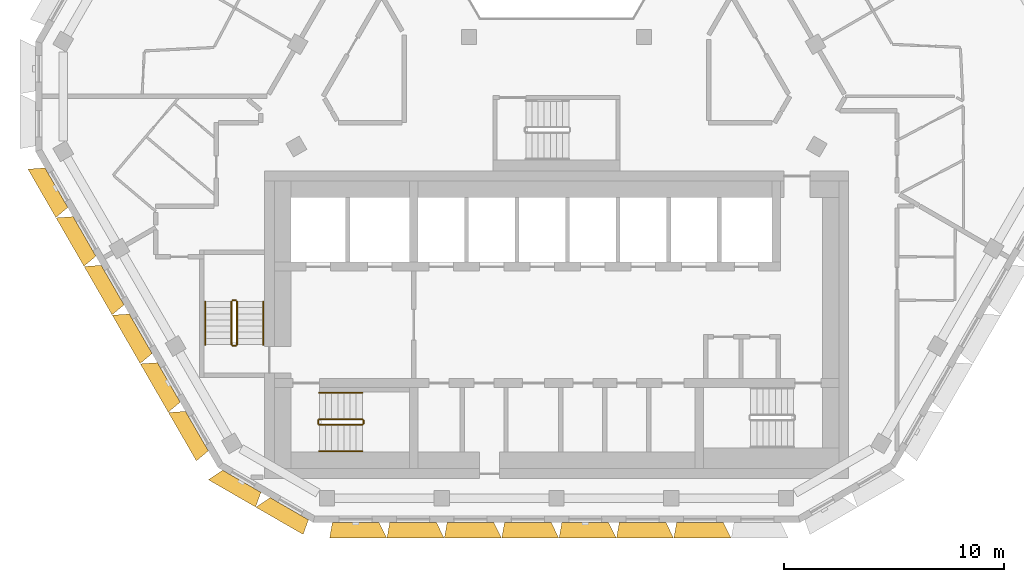
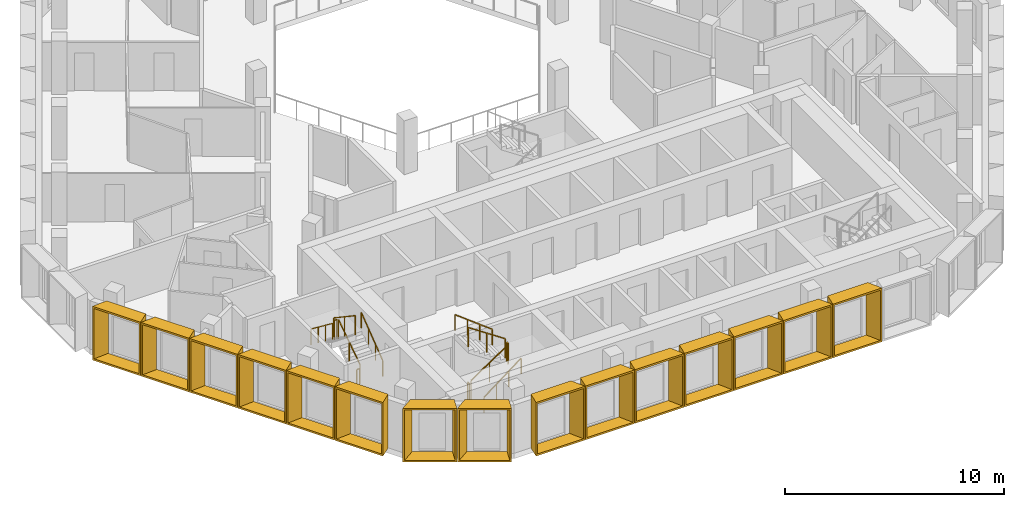
# One storey, part 12 of 16: 15 shading devices, 12 railings.
"""IFC4 building model written with IfcOpenShell, lengths in metres."""

import ifcopenshell
import ifcopenshell.guid

model = None  # the IFC model being written
_history = None  # IfcOwnerHistory: only IFC2X3 demands one
_inside = {}  # id of a spatial element -> (the spatial element, [elements in it])
_under = {}  # id of a project, library or spatial element -> (it, [spatial elements below it])
_declared = {}  # id of a project -> (the project, [libraries it declares])
_typed = {}  # id of a type object -> (the type object, [elements of that type])
_made_of = {}  # id of a material, layer set ... -> (it, [elements and type objects made of it])


def new_model(schema):
    """Start an empty IFC model of exactly this schema.

    Asked for "IFC4X3", IfcOpenShell would pick the latest addendum, in which some entities
    have other attributes; the version numbers below select the first issue.
    IFC2X3 requires an IfcOwnerHistory on every rooted entity: one is made here for all.
    """
    global model, _history
    if schema == "IFC4X3":
        model = ifcopenshell.file(schema_version=(4, 3, 0, 0))
    else:
        model = ifcopenshell.file(schema=schema)
    _inside.clear()
    _under.clear()
    _declared.clear()
    _typed.clear()
    _made_of.clear()
    _history = None
    if model.schema == "IFC2X3":
        org = make("IfcOrganization", Name="unknown")
        user = make(
            "IfcPersonAndOrganization",
            ThePerson=make("IfcPerson", FamilyName="unknown"),
            TheOrganization=org,
        )
        app = make(
            "IfcApplication",
            ApplicationDeveloper=org,
            Version="unknown",
            ApplicationFullName="unknown",
            ApplicationIdentifier="unknown",
        )
        _history = make(
            "IfcOwnerHistory",
            OwningUser=user,
            OwningApplication=app,
            ChangeAction="ADDED",
            CreationDate=0,
        )
    return model


def make(cls, **values):
    """One entity of the class cls with the attributes given. An attribute that is None is left unset."""
    return model.create_entity(
        cls, **{name: value for name, value in values.items() if value is not None}
    )


def entity(cls, *values):
    """Any entity or typed value of the class cls, its attributes in the order of the schema. None: left unset."""
    e = model.create_entity(cls)
    for i, value in enumerate(values):
        if value is not None:
            e[i] = value
    return e


def rooted(cls, **values):
    """An entity with a GlobalId (a new one), such as an element, a storey or a relation."""
    return make(cls, GlobalId=ifcopenshell.guid.new(), OwnerHistory=_history, **values)


def si_unit(unit_type, name, prefix=None):
    """IfcSIUnit, for example si_unit("LENGTHUNIT", "METRE", prefix="MILLI")."""
    return make("IfcSIUnit", UnitType=unit_type, Prefix=prefix, Name=name)


def assignment(units):
    """IfcUnitAssignment: the units of a project."""
    return None if units is None else make("IfcUnitAssignment", Units=units)


def point(xyz):
    """IfcCartesianPoint."""
    return None if xyz is None else make("IfcCartesianPoint", Coordinates=xyz)


def direction(xyz):
    """IfcDirection."""
    return None if xyz is None else make("IfcDirection", DirectionRatios=xyz)


def frame(location, z_axis=None, x_axis=None):
    """IfcAxis2Placement3D, a coordinate frame: its origin and axes. An axis left out is left unset."""
    return make(
        "IfcAxis2Placement3D",
        Location=point(location),
        Axis=direction(z_axis),
        RefDirection=direction(x_axis),
    )


def frame_2d(location, x_axis=None):
    """IfcAxis2Placement2D, a coordinate frame in the plane: its origin and x axis."""
    return make(
        "IfcAxis2Placement2D", Location=point(location), RefDirection=direction(x_axis)
    )


def origin():
    """The frame at (0, 0, 0) with its axes left unset."""
    return frame((0.0, 0.0, 0.0))


def origin_2d():
    """The frame at (0, 0) in the plane with its x axis left unset."""
    return frame_2d((0.0, 0.0))


def place(relative_to, where):
    """IfcLocalPlacement: puts the frame where relative to a parent placement (None: the world)."""
    return make(
        "IfcLocalPlacement", PlacementRelTo=relative_to, RelativePlacement=where
    )


def context(
    kind, dimensions, precision=None, world=None, true_north=None, identifier=None
):
    """IfcGeometricRepresentationContext, for example the 3D "Model" context."""
    return make(
        "IfcGeometricRepresentationContext",
        ContextIdentifier=identifier,
        ContextType=kind,
        CoordinateSpaceDimension=dimensions,
        Precision=precision,
        WorldCoordinateSystem=world,
        TrueNorth=true_north,
    )


def subcontext(parent, identifier, kind, view, scale=None):
    """IfcGeometricRepresentationSubContext, for example "Body" below "Model"."""
    return make(
        "IfcGeometricRepresentationSubContext",
        ContextIdentifier=identifier,
        ContextType=kind,
        ParentContext=parent,
        TargetScale=scale,
        TargetView=view,
    )


def project(units=None, contexts=None):
    """IfcProject with its units and contexts."""
    return rooted(
        "IfcProject",
        Name="project",
        RepresentationContexts=contexts,
        UnitsInContext=assignment(units),
    )


def spatial(cls, under=None, at=None, **own):
    """A site, building, storey or space (cls), placed at a placement, below another one or the project."""
    s = rooted(cls, ObjectPlacement=at, **own)
    if under is not None:
        _under.setdefault(under.id(), (under, []))[1].append(s)
    return s


def profile(cls, at=None, kind="AREA", **sizes):
    """A parametric profile (cls). Its sizes go by their IFC names, for example OverallWidth=200.0."""
    return make(cls, ProfileType=kind, Position=at, **sizes)


def rectangle(**sizes):
    """IfcRectangleProfileDef."""
    return profile("IfcRectangleProfileDef", **sizes)


def extrude(swept, where, along, depth):
    """IfcExtrudedAreaSolid: the profile swept, set in the frame where, extruded along a direction by depth."""
    return make(
        "IfcExtrudedAreaSolid",
        SweptArea=swept,
        Position=where,
        ExtrudedDirection=direction(along),
        Depth=depth,
    )


def shape(context_of_items, identifier, shape_type, items):
    """IfcShapeRepresentation: the items that make up one representation, for example the "Body"."""
    return make(
        "IfcShapeRepresentation",
        ContextOfItems=context_of_items,
        RepresentationIdentifier=identifier,
        RepresentationType=shape_type,
        Items=items,
    )


def source(mapping_origin, context_of_items, identifier, shape_type, items):
    """IfcRepresentationMap: a shape defined once, which mapped items show again and again."""
    return make(
        "IfcRepresentationMap",
        MappingOrigin=mapping_origin,
        MappedRepresentation=shape(context_of_items, identifier, shape_type, items),
    )


def transform(
    local_origin,
    x_axis=None,
    y_axis=None,
    z_axis=None,
    scale=None,
    scale2=None,
    scale3=None,
    uniform=True,
):
    """IfcCartesianTransformationOperator3D, or its non-uniform kind. x_axis, y_axis, z_axis: its Axis1, 2, 3."""
    if uniform:
        return make(
            "IfcCartesianTransformationOperator3D",
            Axis1=direction(x_axis),
            Axis2=direction(y_axis),
            LocalOrigin=point(local_origin),
            Scale=scale,
            Axis3=direction(z_axis),
        )
    return make(
        "IfcCartesianTransformationOperator3DnonUniform",
        Axis1=direction(x_axis),
        Axis2=direction(y_axis),
        LocalOrigin=point(local_origin),
        Scale=scale,
        Axis3=direction(z_axis),
        Scale2=scale2,
        Scale3=scale3,
    )


def mapped(mapping_source, mapping_target):
    """IfcMappedItem: shows the shape of a source again, moved by a transform."""
    return make(
        "IfcMappedItem", MappingSource=mapping_source, MappingTarget=mapping_target
    )


def material(Name=None, Category=None):
    """IfcMaterial."""
    return make("IfcMaterial", Name=Name, Category=Category)


def made_of(thing, what):
    """Note that an element or type object is made of a material, layer set ...; save() writes the relation."""
    if what is not None:
        _made_of.setdefault(what.id(), (what, []))[1].append(thing)
    return thing


def type_object(cls, material=None, **own):
    """A type object (cls), such as IfcWallType, which elements share."""
    return made_of(rooted(cls, **own), material)


def type_shapes(of_type, sources):
    """Give a type object the sources (RepresentationMaps) that its elements show as mapped items."""
    of_type.RepresentationMaps = sources


def element(
    cls,
    number,
    at=None,
    inside=None,
    cuts=None,
    type_object=None,
    material=None,
    context=None,
    identifier="Body",
    shape_type=None,
    held_by="IfcProductDefinitionShape",
    body=None,
    shapes=None,
    **own,
):
    """One element of the class cls, such as IfcWall. Its Tag is "e" and its number.

    at: its placement. inside: the storey or other place that contains it. cuts: it is an
    opening in that element (IfcRelVoidsElement). A single representation is given by context,
    identifier, shape_type and body (its items); several are given by shapes. held_by: the class
    of the entity that holds the representations. save() writes the other relations.
    """
    e = rooted(cls, Tag="e%d" % number, ObjectPlacement=at, **own)
    if body is not None:
        shapes = [shape(context, identifier, shape_type, body)]
    if shapes is not None:
        e.Representation = make(held_by, Representations=shapes)
    if inside is not None:
        _inside.setdefault(inside.id(), (inside, []))[1].append(e)
    if cuts is not None:
        rooted(
            "IfcRelVoidsElement", RelatingBuildingElement=cuts, RelatedOpeningElement=e
        )
    if type_object is not None:
        _typed.setdefault(type_object.id(), (type_object, []))[1].append(e)
    return made_of(e, material)


def aggregate(whole, parts):
    """IfcRelAggregates: a whole, such as a stair, and the parts it consists of."""
    return rooted("IfcRelAggregates", RelatingObject=whole, RelatedObjects=parts)


def save(model, path):
    """Write the relations noted so far, then the file.

    IfcRelAggregates (storeys below a building ...), IfcRelContainedInSpatialStructure (elements
    in a storey), IfcRelDefinesByType, IfcRelAssociatesMaterial and IfcRelDeclares: one each for
    every whole, place, type object, material and project.
    """
    for whole, parts in _under.values():
        aggregate(whole, parts)
    for where, things in _inside.values():
        rooted(
            "IfcRelContainedInSpatialStructure",
            RelatedElements=things,
            RelatingStructure=where,
        )
    for kind, things in _typed.values():
        rooted("IfcRelDefinesByType", RelatedObjects=things, RelatingType=kind)
    for what, things in _made_of.values():
        rooted("IfcRelAssociatesMaterial", RelatedObjects=things, RelatingMaterial=what)
    for by, libraries in _declared.values():
        rooted("IfcRelDeclares", RelatingContext=by, RelatedDefinitions=libraries)
    model.write(path)


model = new_model("IFC4")

# Units and contexts
model_context = context("Model", 3, precision=1e-05, world=origin(), true_north=direction((0.0, 1.0)))
body_context = subcontext(model_context, "Body", "Model", "MODEL_VIEW")
ifc_project = project(units=[si_unit("LENGTHUNIT", "METRE"), si_unit("AREAUNIT", "SQUARE_METRE"), si_unit("VOLUMEUNIT", "CUBIC_METRE"), si_unit("PLANEANGLEUNIT", "RADIAN"), si_unit("MASSUNIT", "GRAM", prefix="KILO")], contexts=[model_context])

# Site, building, storey
site_placement = place(None, origin())
site = spatial("IfcSite", under=ifc_project, at=site_placement, CompositionType="ELEMENT")
building_placement = place(site_placement, origin())
building = spatial("IfcBuilding", under=site, at=building_placement, Name="Beryl Residences", CompositionType="ELEMENT")
storey_placement = place(building_placement, frame((0.0, 0.0, 226.800048828125)))
storey = spatial("IfcBuildingStorey", under=building, at=storey_placement, Name="L70", CompositionType="ELEMENT", Elevation=226.800048828125)

# Shading devices
ifc_material_1 = material(Name="Aluminium pale anodised", Category="aluminium")
shading_device_type_1 = type_object("IfcShadingDeviceType", Name="FR250-70B OUTER SKIN frame 700 mm deep, splay 26/10 deg, 2500 x 3000 mm cell", PredefinedType="USERDEFINED", material=ifc_material_1)
cartesian_point_1 = entity("IfcCartesianPoint", [-1.007568359375, 0.0])
cartesian_point_2 = entity("IfcCartesianPoint", [-0.91845703125, 0.10009765625])
cartesian_point_3 = entity("IfcCartesianPoint", [-1.348876953125, 0.0])
cartesian_point_4 = entity("IfcCartesianPoint", [-1.260009765625, 0.10009765625])
shared_shape_1 = source(origin(), body_context, "Body", "SweptSolid", [
    entity("IfcExtrudedAreaSolidTapered", entity("IfcArbitraryProfileDefWithVoids", "AREA", None, entity("IfcPolyline", [cartesian_point_1, entity("IfcCartesianPoint", [1.007568359375, 0.0]), entity("IfcCartesianPoint", [1.007568359375, 3.0]), entity("IfcCartesianPoint", [-1.007568359375, 3.0]), cartesian_point_1]), [entity("IfcPolyline", [cartesian_point_2, entity("IfcCartesianPoint", [0.92626953125, 0.10009765625]), entity("IfcCartesianPoint", [0.92626953125, 2.89990234375]), entity("IfcCartesianPoint", [-0.91845703125, 2.89990234375]), cartesian_point_2])]), entity("IfcAxis2Placement3D", entity("IfcCartesianPoint", [0.0, 0.0, 0.0]), entity("IfcDirection", [0.0, 1.0, 0.0]), entity("IfcDirection", [-1.0, 0.0, 0.0])), entity("IfcDirection", [0.0, 0.0, 1.0]), 0.699951171875, entity("IfcArbitraryProfileDefWithVoids", "AREA", None, entity("IfcPolyline", [cartesian_point_3, entity("IfcCartesianPoint", [1.130859375, 0.0]), entity("IfcCartesianPoint", [1.130859375, 3.0]), entity("IfcCartesianPoint", [-1.348876953125, 3.0]), cartesian_point_3]), [entity("IfcPolyline", [cartesian_point_4, entity("IfcCartesianPoint", [1.0498046875, 0.10009765625]), entity("IfcCartesianPoint", [1.0498046875, 2.89990234375]), entity("IfcCartesianPoint", [-1.260009765625, 2.89990234375]), cartesian_point_4])])),
])
type_shapes(shading_device_type_1, [shared_shape_1])
for number, where, z_axis, x_axis, name in (
    (1, (-14.33203125, -19.125, 0.0), (0.0, 0.0, 1.0), (-0.866025403784, 0.5, 0.0), "FR250-70B frame L70 SW-S 1"),
    (2, (-12.16796875, -20.375, 0.0), (0.0, 0.0, 1.0), (-0.866025403784, 0.5, 0.0), "FR250-70B frame L70 SW-S 2"),
):
    element("IfcShadingDevice", number, at=place(storey_placement, frame(where, z_axis=z_axis, x_axis=x_axis)), inside=storey, type_object=shading_device_type_1, Name=name, ObjectType="OUTER SKIN", PredefinedType="USERDEFINED", context=body_context, shape_type="MappedRepresentation", body=[
        mapped(shared_shape_1, transform((0.0, 0.0, 0.0))),
    ])
ifc_material_2 = material(Name="Aluminium pale anodised", Category="aluminium")
shading_device_type_2 = type_object("IfcShadingDeviceType", Name="FR256-70B OUTER SKIN frame 700 mm deep, splay 26/10 deg, 2560 x 3000 mm cell", PredefinedType="USERDEFINED", material=ifc_material_2)
cartesian_point_5 = entity("IfcCartesianPoint", [-1.03759765625, 0.0])
cartesian_point_6 = entity("IfcCartesianPoint", [-0.948486328125, 0.10009765625])
cartesian_point_7 = entity("IfcCartesianPoint", [-1.37890625, 0.0])
cartesian_point_8 = entity("IfcCartesianPoint", [-1.289794921875, 0.10009765625])
shared_shape_2 = source(origin(), body_context, "Body", "SweptSolid", [
    entity("IfcExtrudedAreaSolidTapered", entity("IfcArbitraryProfileDefWithVoids", "AREA", None, entity("IfcPolyline", [cartesian_point_5, entity("IfcCartesianPoint", [1.03759765625, 0.0]), entity("IfcCartesianPoint", [1.03759765625, 3.0]), entity("IfcCartesianPoint", [-1.03759765625, 3.0]), cartesian_point_5]), [entity("IfcPolyline", [cartesian_point_6, entity("IfcCartesianPoint", [0.956298828125, 0.10009765625]), entity("IfcCartesianPoint", [0.956298828125, 2.89990234375]), entity("IfcCartesianPoint", [-0.948486328125, 2.89990234375]), cartesian_point_6])]), entity("IfcAxis2Placement3D", entity("IfcCartesianPoint", [0.0, 0.0, 0.0]), entity("IfcDirection", [0.0, 1.0, 0.0]), entity("IfcDirection", [-1.0, 0.0, 0.0])), entity("IfcDirection", [0.0, 0.0, 1.0]), 0.699951171875, entity("IfcArbitraryProfileDefWithVoids", "AREA", None, entity("IfcPolyline", [cartesian_point_7, entity("IfcCartesianPoint", [1.160888671875, 0.0]), entity("IfcCartesianPoint", [1.160888671875, 3.0]), entity("IfcCartesianPoint", [-1.37890625, 3.0]), cartesian_point_7]), [entity("IfcPolyline", [cartesian_point_8, entity("IfcCartesianPoint", [1.07958984375, 0.10009765625]), entity("IfcCartesianPoint", [1.07958984375, 2.89990234375]), entity("IfcCartesianPoint", [-1.289794921875, 2.89990234375]), cartesian_point_8])])),
])
type_shapes(shading_device_type_2, [shared_shape_2])
for number, where, z_axis, x_axis, name in (
    (3, (-22.77099609375, -5.758056640625, 0.0), (0.0, 0.0, 1.0), (-0.5, 0.866025403784, 0.0), "FR256-70B frame L70 SW 1"),
    (4, (-21.491943359375, -7.97509765625, 0.0), (0.0, 0.0, 1.0), (-0.5, 0.866025403784, 0.0), "FR256-70B frame L70 SW 2"),
    (5, (-20.2119140625, -10.19091796875, 0.0), (0.0, 0.0, 1.0), (-0.5, 0.866025403784, 0.0), "FR256-70B frame L70 SW 3"),
    (6, (-18.931884765625, -12.407958984375, 0.0), (0.0, 0.0, 1.0), (-0.5, 0.866025403784, 0.0), "FR256-70B frame L70 SW 4"),
    (7, (-17.653076171875, -14.6240234375, 0.0), (0.0, 0.0, 1.0), (-0.5, 0.866025403784, 0.0), "FR256-70B frame L70 SW 5"),
    (8, (-16.373046875, -16.841064453125, 0.0), (0.0, 0.0, 1.0), (-0.5, 0.866025403784, 0.0), "FR256-70B frame L70 SW 6"),
):
    element("IfcShadingDevice", number, at=place(storey_placement, frame(where, z_axis=z_axis, x_axis=x_axis)), inside=storey, type_object=shading_device_type_2, Name=name, ObjectType="OUTER SKIN", PredefinedType="USERDEFINED", context=body_context, shape_type="MappedRepresentation", body=[
        mapped(shared_shape_2, transform((0.0, 0.0, 0.0))),
    ])
ifc_material_3 = material(Name="Aluminium pale anodised", Category="aluminium")
shading_device_type_3 = type_object("IfcShadingDeviceType", Name="FR261-70C OUTER SKIN frame 700 mm deep, splay 10/26 deg, 2610 x 3000 mm cell", PredefinedType="USERDEFINED", material=ifc_material_3)
cartesian_point_9 = entity("IfcCartesianPoint", [-1.0625, 0.0])
cartesian_point_10 = entity("IfcCartesianPoint", [-0.981201171875, 0.10009765625])
cartesian_point_11 = entity("IfcCartesianPoint", [-1.18603515625, 0.0])
cartesian_point_12 = entity("IfcCartesianPoint", [-1.104736328125, 0.10009765625])
shared_shape_3 = source(origin(), body_context, "Body", "SweptSolid", [
    entity("IfcExtrudedAreaSolidTapered", entity("IfcArbitraryProfileDefWithVoids", "AREA", None, entity("IfcPolyline", [cartesian_point_9, entity("IfcCartesianPoint", [1.0625, 0.0]), entity("IfcCartesianPoint", [1.0625, 3.0]), entity("IfcCartesianPoint", [-1.0625, 3.0]), cartesian_point_9]), [entity("IfcPolyline", [cartesian_point_10, entity("IfcCartesianPoint", [0.973388671875, 0.10009765625]), entity("IfcCartesianPoint", [0.973388671875, 2.89990234375]), entity("IfcCartesianPoint", [-0.981201171875, 2.89990234375]), cartesian_point_10])]), entity("IfcAxis2Placement3D", entity("IfcCartesianPoint", [0.0, 0.0, 0.0]), entity("IfcDirection", [0.0, 1.0, 0.0]), entity("IfcDirection", [-1.0, 0.0, 0.0])), entity("IfcDirection", [0.0, 0.0, 1.0]), 0.699951171875, entity("IfcArbitraryProfileDefWithVoids", "AREA", None, entity("IfcPolyline", [cartesian_point_11, entity("IfcCartesianPoint", [1.40380859375, 0.0]), entity("IfcCartesianPoint", [1.40380859375, 3.0]), entity("IfcCartesianPoint", [-1.18603515625, 3.0]), cartesian_point_11]), [entity("IfcPolyline", [cartesian_point_12, entity("IfcCartesianPoint", [1.31494140625, 0.10009765625]), entity("IfcCartesianPoint", [1.31494140625, 2.89990234375]), entity("IfcCartesianPoint", [-1.104736328125, 2.89990234375]), cartesian_point_12])])),
])
type_shapes(shading_device_type_3, [shared_shape_3])
for number, where, z_axis, x_axis, name in (
    (9, (-9.14404296875, -21.0, 0.0), (0.0, 0.0, 1.0), (-1.0, 0.0, 0.0), "FR261-70C frame L70 S 1"),
    (10, (-6.531005859375, -21.0, 0.0), (0.0, 0.0, 1.0), (-1.0, 0.0, 0.0), "FR261-70C frame L70 S 2"),
    (11, (-3.9189453125, -21.0, 0.0), (0.0, 0.0, 1.0), (-1.0, 0.0, 0.0), "FR261-70C frame L70 S 3"),
    (12, (-1.305908203125, -21.0, 0.0), (0.0, 0.0, 1.0), (-1.0, 0.0, 0.0), "FR261-70C frame L70 S 4"),
    (13, (1.305908203125, -21.0, 0.0), (0.0, 0.0, 1.0), (-1.0, 0.0, 0.0), "FR261-70C frame L70 S 5"),
    (14, (3.9189453125, -21.0, 0.0), (0.0, 0.0, 1.0), (-1.0, 0.0, 0.0), "FR261-70C frame L70 S 6"),
    (15, (6.531005859375, -21.0, 0.0), (0.0, 0.0, 1.0), (-1.0, 0.0, 0.0), "FR261-70C frame L70 S 7"),
):
    element("IfcShadingDevice", number, at=place(storey_placement, frame(where, z_axis=z_axis, x_axis=x_axis)), inside=storey, type_object=shading_device_type_3, Name=name, ObjectType="OUTER SKIN", PredefinedType="USERDEFINED", context=body_context, shape_type="MappedRepresentation", body=[
        mapped(shared_shape_3, transform((0.0, 0.0, 0.0))),
    ])

# Railings
ifc_material_4 = material(Name="Stainless steel balustrade with glass infill", Category="steel")
railing_type_1 = type_object("IfcRailingType", Name="SG1 stair guard 1100 mm", PredefinedType="GUARDRAIL", material=ifc_material_4)
railing_1_placement = place(storey_placement, frame((-10.800048828125, -16.550048828125, 0.1875)))
element("IfcRailing", 16, at=railing_1_placement, inside=storey, type_object=railing_type_1, Name="L70 ST-1 stair guard 1", PredefinedType="GUARDRAIL", context=body_context, shape_type="SweptSolid", body=[
    extrude(rectangle(XDim=0.048095703125, YDim=0.048095703125, at=origin_2d()), frame((0.0, 0.0, 1.076171875), z_axis=(0.830902050051, 0.0, 0.556418712142), x_axis=(0.0, 1.0, 0.0)), (0.0, 0.0, 1.0), 2.35888671875),
    extrude(rectangle(XDim=0.0419921875, YDim=0.0419921875, at=origin_2d()), origin(), (0.0, 0.0, 1.0), 1.052001953125),
    extrude(rectangle(XDim=0.0419921875, YDim=0.0419921875, at=origin_2d()), frame((0.97998046875, 0.0, 0.65625)), (0.0, 0.0, 1.0), 1.052001953125),
    extrude(rectangle(XDim=0.0419921875, YDim=0.0419921875, at=origin_2d()), frame((1.9599609375, 0.0, 1.3125)), (0.0, 0.0, 1.0), 1.052001953125),
])
railing_2_placement = place(storey_placement, frame((-8.7900390625, -16.5, 1.5)))
element("IfcRailing", 17, at=railing_2_placement, inside=storey, type_object=railing_type_1, Name="L70 ST-1 stair guard 2", PredefinedType="GUARDRAIL", context=body_context, shape_type="SweptSolid", body=[
    extrude(rectangle(XDim=0.048095703125, YDim=0.048095703125, at=origin_2d()), frame((0.0, 0.0, 1.076171875), z_axis=(0.0, 1.0, 0.0), x_axis=(-1.0, 0.0, 0.0)), (0.0, 0.0, 1.0), 0.14990234375),
    extrude(rectangle(XDim=0.0419921875, YDim=0.0419921875, at=origin_2d()), origin(), (0.0, 0.0, 1.0), 1.052001953125),
    extrude(rectangle(XDim=0.0419921875, YDim=0.0419921875, at=origin_2d()), frame((0.0, 0.14990234375, 0.0)), (0.0, 0.0, 1.0), 1.052001953125),
])
railing_3_placement = place(storey_placement, frame((-8.840087890625, -16.300048828125, 1.6875)))
element("IfcRailing", 18, at=railing_3_placement, inside=storey, type_object=railing_type_1, Name="L70 ST-1 stair guard 3", PredefinedType="GUARDRAIL", context=body_context, shape_type="SweptSolid", body=[
    extrude(rectangle(XDim=0.048095703125, YDim=0.048095703125, at=origin_2d()), frame((0.0, 0.0, 1.076171875), z_axis=(-0.830902050051, 0.0, 0.556418712142), x_axis=(0.0, -1.0, 0.0)), (0.0, 0.0, 1.0), 2.35888671875),
    extrude(rectangle(XDim=0.0419921875, YDim=0.0419921875, at=origin_2d()), origin(), (0.0, 0.0, 1.0), 1.052001953125),
    extrude(rectangle(XDim=0.0419921875, YDim=0.0419921875, at=origin_2d()), frame((-0.97998046875, 0.0, 0.65625)), (0.0, 0.0, 1.0), 1.052001953125),
    extrude(rectangle(XDim=0.0419921875, YDim=0.0419921875, at=origin_2d()), frame((-1.9599609375, 0.0, 1.3125)), (0.0, 0.0, 1.0), 1.052001953125),
])
railing_4_placement = place(storey_placement, frame((-10.85009765625, -16.5, 0.0)))
element("IfcRailing", 19, at=railing_4_placement, inside=storey, type_object=railing_type_1, Name="L70 ST-1 stair guard 4", PredefinedType="GUARDRAIL", context=body_context, shape_type="SweptSolid", body=[
    extrude(rectangle(XDim=0.048095703125, YDim=0.048095703125, at=origin_2d()), frame((0.0, 0.0, 1.076171875), z_axis=(0.0, 1.0, 0.0), x_axis=(-1.0, 0.0, 0.0)), (0.0, 0.0, 1.0), 0.14990234375),
    extrude(rectangle(XDim=0.0419921875, YDim=0.0419921875, at=origin_2d()), origin(), (0.0, 0.0, 1.0), 1.052001953125),
    extrude(rectangle(XDim=0.0419921875, YDim=0.0419921875, at=origin_2d()), frame((0.0, 0.14990234375, 0.0)), (0.0, 0.0, 1.0), 1.052001953125),
])
railing_5_placement = place(storey_placement, frame((-14.550048828125, -12.89990234375, 0.1875)))
element("IfcRailing", 20, at=railing_5_placement, inside=storey, type_object=railing_type_1, Name="L70 ST-2 stair guard 1", PredefinedType="GUARDRAIL", context=body_context, shape_type="SweptSolid", body=[
    extrude(rectangle(XDim=0.048095703125, YDim=0.048095703125, at=origin_2d()), frame((0.0, 0.0, 1.076171875), z_axis=(0.0, 0.830902050051, 0.556418712142), x_axis=(-1.0, 0.0, 0.0)), (0.0, 0.0, 1.0), 2.35888671875),
    extrude(rectangle(XDim=0.0419921875, YDim=0.0419921875, at=origin_2d()), origin(), (0.0, 0.0, 1.0), 1.052001953125),
    extrude(rectangle(XDim=0.0419921875, YDim=0.0419921875, at=origin_2d()), frame((0.0, 0.97998046875, 0.65625)), (0.0, 0.0, 1.0), 1.052001953125),
    extrude(rectangle(XDim=0.0419921875, YDim=0.0419921875, at=origin_2d()), frame((0.0, 1.9599609375, 1.3125)), (0.0, 0.0, 1.0), 1.052001953125),
])
railing_6_placement = place(storey_placement, frame((-14.60009765625, -10.889892578125, 1.5)))
element("IfcRailing", 21, at=railing_6_placement, inside=storey, type_object=railing_type_1, Name="L70 ST-2 stair guard 2", PredefinedType="GUARDRAIL", context=body_context, shape_type="SweptSolid", body=[
    extrude(rectangle(XDim=0.048095703125, YDim=0.048095703125, at=origin_2d()), frame((0.0, 0.0, 1.076171875), z_axis=(-1.0, 0.0, 0.0), x_axis=(0.0, -1.0, 0.0)), (0.0, 0.0, 1.0), 0.14990234375),
    extrude(rectangle(XDim=0.0419921875, YDim=0.0419921875, at=origin_2d()), origin(), (0.0, 0.0, 1.0), 1.052001953125),
    extrude(rectangle(XDim=0.0419921875, YDim=0.0419921875, at=origin_2d()), frame((-0.14990234375, 0.0, 0.0)), (0.0, 0.0, 1.0), 1.052001953125),
])
railing_7_placement = place(storey_placement, frame((-14.800048828125, -10.93994140625, 1.6875)))
element("IfcRailing", 22, at=railing_7_placement, inside=storey, type_object=railing_type_1, Name="L70 ST-2 stair guard 3", PredefinedType="GUARDRAIL", context=body_context, shape_type="SweptSolid", body=[
    extrude(rectangle(XDim=0.048095703125, YDim=0.048095703125, at=origin_2d()), frame((0.0, 0.0, 1.076171875), z_axis=(0.0, -0.830902050051, 0.556418712142), x_axis=(1.0, 0.0, 0.0)), (0.0, 0.0, 1.0), 2.35888671875),
    extrude(rectangle(XDim=0.0419921875, YDim=0.0419921875, at=origin_2d()), origin(), (0.0, 0.0, 1.0), 1.052001953125),
    extrude(rectangle(XDim=0.0419921875, YDim=0.0419921875, at=origin_2d()), frame((0.0, -0.97998046875, 0.65625)), (0.0, 0.0, 1.0), 1.052001953125),
    extrude(rectangle(XDim=0.0419921875, YDim=0.0419921875, at=origin_2d()), frame((0.0, -1.9599609375, 1.3125)), (0.0, 0.0, 1.0), 1.052001953125),
])
railing_8_placement = place(storey_placement, frame((-14.60009765625, -12.949951171875, 0.0)))
element("IfcRailing", 23, at=railing_8_placement, inside=storey, type_object=railing_type_1, Name="L70 ST-2 stair guard 4", PredefinedType="GUARDRAIL", context=body_context, shape_type="SweptSolid", body=[
    extrude(rectangle(XDim=0.048095703125, YDim=0.048095703125, at=origin_2d()), frame((0.0, 0.0, 1.076171875), z_axis=(-1.0, 0.0, 0.0), x_axis=(0.0, -1.0, 0.0)), (0.0, 0.0, 1.0), 0.14990234375),
    extrude(rectangle(XDim=0.0419921875, YDim=0.0419921875, at=origin_2d()), origin(), (0.0, 0.0, 1.0), 1.052001953125),
    extrude(rectangle(XDim=0.0419921875, YDim=0.0419921875, at=origin_2d()), frame((-0.14990234375, 0.0, 0.0)), (0.0, 0.0, 1.0), 1.052001953125),
])
ifc_material_5 = material(Name="Stainless steel handrail", Category="steel")
railing_type_2 = type_object("IfcRailingType", Name="SRL1 stair handrail 900 mm", PredefinedType="HANDRAIL", material=ifc_material_5)
railing_9_placement = place(storey_placement, frame((-10.800048828125, -17.75, 0.1875)))
element("IfcRailing", 24, at=railing_9_placement, inside=storey, type_object=railing_type_2, Name="L70 ST-1 stair handrail 1", PredefinedType="HANDRAIL", context=body_context, shape_type="SweptSolid", body=[
    extrude(rectangle(XDim=0.048095703125, YDim=0.048095703125, at=origin_2d()), frame((0.0, 0.0, 0.8759765625), z_axis=(0.794121922505, 0.0, 0.607758481798), x_axis=(0.0, 1.0, 0.0)), (0.0, 0.0, 1.0), 2.468017578125),
    extrude(rectangle(XDim=0.0419921875, YDim=0.0419921875, at=origin_2d()), origin(), (0.0, 0.0, 1.0), 0.851806640625),
    extrude(rectangle(XDim=0.0419921875, YDim=0.0419921875, at=origin_2d()), frame((0.6533203125, 0.0, 0.5)), (0.0, 0.0, 1.0), 0.851806640625),
    extrude(rectangle(XDim=0.0419921875, YDim=0.0419921875, at=origin_2d()), frame((1.306640625, 0.0, 1.0)), (0.0, 0.0, 1.0), 0.851806640625),
    extrude(rectangle(XDim=0.0419921875, YDim=0.0419921875, at=origin_2d()), frame((1.9599609375, 0.0, 1.5)), (0.0, 0.0, 1.0), 0.851806640625),
])
railing_10_placement = place(storey_placement, frame((-8.840087890625, -15.10009765625, 1.6875)))
element("IfcRailing", 25, at=railing_10_placement, inside=storey, type_object=railing_type_2, Name="L70 ST-1 stair handrail 2", PredefinedType="HANDRAIL", context=body_context, shape_type="SweptSolid", body=[
    extrude(rectangle(XDim=0.048095703125, YDim=0.048095703125, at=origin_2d()), frame((0.0, 0.0, 0.8759765625), z_axis=(-0.794121922505, 0.0, 0.607758481798), x_axis=(0.0, -1.0, 0.0)), (0.0, 0.0, 1.0), 2.468017578125),
    extrude(rectangle(XDim=0.0419921875, YDim=0.0419921875, at=origin_2d()), origin(), (0.0, 0.0, 1.0), 0.851806640625),
    extrude(rectangle(XDim=0.0419921875, YDim=0.0419921875, at=origin_2d()), frame((-0.6533203125, 0.0, 0.5)), (0.0, 0.0, 1.0), 0.851806640625),
    extrude(rectangle(XDim=0.0419921875, YDim=0.0419921875, at=origin_2d()), frame((-1.306640625, 0.0, 1.0)), (0.0, 0.0, 1.0), 0.851806640625),
    extrude(rectangle(XDim=0.0419921875, YDim=0.0419921875, at=origin_2d()), frame((-1.9599609375, 0.0, 1.5)), (0.0, 0.0, 1.0), 0.851806640625),
])
railing_11_placement = place(storey_placement, frame((-13.35009765625, -12.89990234375, 0.1875)))
element("IfcRailing", 26, at=railing_11_placement, inside=storey, type_object=railing_type_2, Name="L70 ST-2 stair handrail 1", PredefinedType="HANDRAIL", context=body_context, shape_type="SweptSolid", body=[
    extrude(rectangle(XDim=0.048095703125, YDim=0.048095703125, at=origin_2d()), frame((0.0, 0.0, 0.8759765625), z_axis=(0.0, 0.794121922505, 0.607758481798), x_axis=(-1.0, 0.0, 0.0)), (0.0, 0.0, 1.0), 2.468017578125),
    extrude(rectangle(XDim=0.0419921875, YDim=0.0419921875, at=origin_2d()), origin(), (0.0, 0.0, 1.0), 0.851806640625),
    extrude(rectangle(XDim=0.0419921875, YDim=0.0419921875, at=origin_2d()), frame((0.0, 0.6533203125, 0.5)), (0.0, 0.0, 1.0), 0.851806640625),
    extrude(rectangle(XDim=0.0419921875, YDim=0.0419921875, at=origin_2d()), frame((0.0, 1.306640625, 1.0)), (0.0, 0.0, 1.0), 0.851806640625),
    extrude(rectangle(XDim=0.0419921875, YDim=0.0419921875, at=origin_2d()), frame((0.0, 1.9599609375, 1.5)), (0.0, 0.0, 1.0), 0.851806640625),
])
railing_12_placement = place(storey_placement, frame((-16.0, -10.93994140625, 1.6875)))
element("IfcRailing", 27, at=railing_12_placement, inside=storey, type_object=railing_type_2, Name="L70 ST-2 stair handrail 2", PredefinedType="HANDRAIL", context=body_context, shape_type="SweptSolid", body=[
    extrude(rectangle(XDim=0.048095703125, YDim=0.048095703125, at=origin_2d()), frame((0.0, 0.0, 0.8759765625), z_axis=(0.0, -0.794121922505, 0.607758481798), x_axis=(1.0, 0.0, 0.0)), (0.0, 0.0, 1.0), 2.468017578125),
    extrude(rectangle(XDim=0.0419921875, YDim=0.0419921875, at=origin_2d()), origin(), (0.0, 0.0, 1.0), 0.851806640625),
    extrude(rectangle(XDim=0.0419921875, YDim=0.0419921875, at=origin_2d()), frame((0.0, -0.6533203125, 0.5)), (0.0, 0.0, 1.0), 0.851806640625),
    extrude(rectangle(XDim=0.0419921875, YDim=0.0419921875, at=origin_2d()), frame((0.0, -1.306640625, 1.0)), (0.0, 0.0, 1.0), 0.851806640625),
    extrude(rectangle(XDim=0.0419921875, YDim=0.0419921875, at=origin_2d()), frame((0.0, -1.9599609375, 1.5)), (0.0, 0.0, 1.0), 0.851806640625),
])

save(model, "model.ifc")
